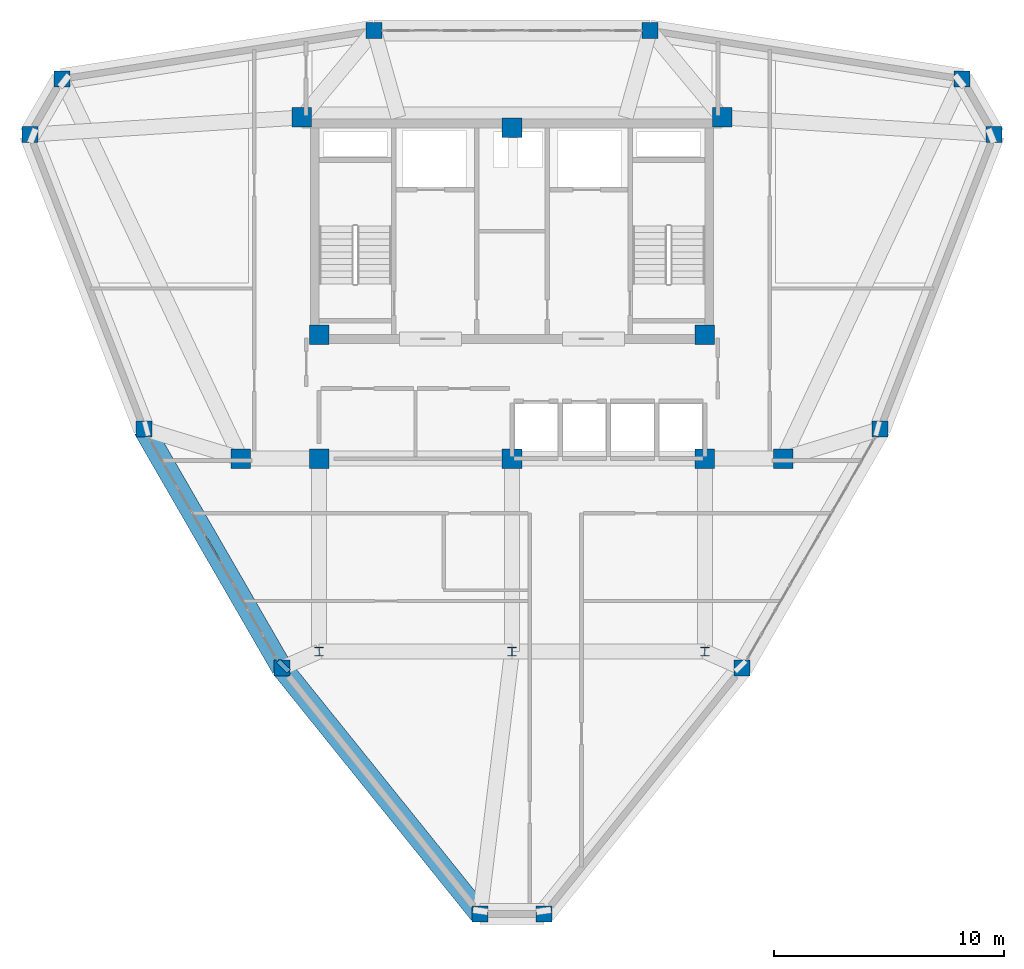
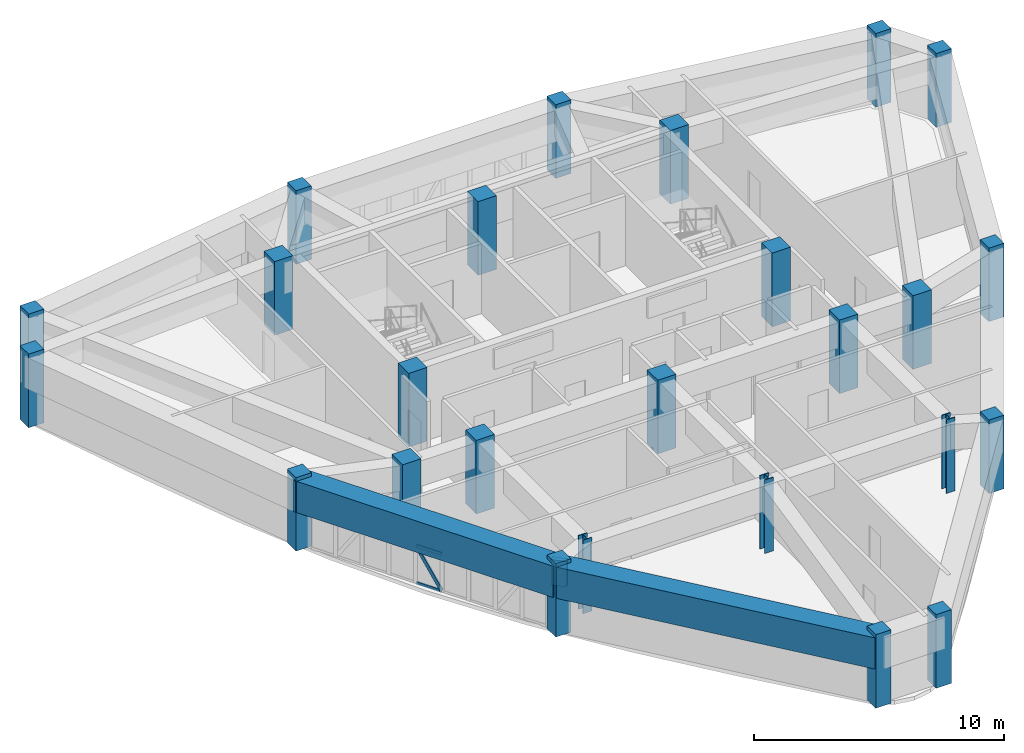
# One storey, part 1 of 15: 25 columns, 3 beams, 3 members, 1 element without a shape of its own.
"""IFC4 building model written with IfcOpenShell, lengths in metres."""

from ifc_helpers import new_model, si_unit, derived_unit, direction, frame, origin, origin_2d, place, context, subcontext, project, spatial, rectangle, hollow_rectangle, i_section, extrude, source, transform, mapped, material, layer, layer_set, material_profile, profile_set, type_object, element, aggregate, save


model = new_model("IFC4")

# Units and contexts
model_context = context("Model", 3, precision=1e-05, world=origin(), true_north=direction((0.0, 1.0)))
body_context = subcontext(model_context, "Body", "Model", "MODEL_VIEW")
ifc_project = project(units=[si_unit("LENGTHUNIT", "METRE"), si_unit("AREAUNIT", "SQUARE_METRE"), si_unit("VOLUMEUNIT", "CUBIC_METRE"), si_unit("PLANEANGLEUNIT", "RADIAN"), si_unit("MASSUNIT", "GRAM", prefix="KILO"), derived_unit("THERMALTRANSMITTANCEUNIT", [(si_unit("POWERUNIT", "WATT"), 1), (si_unit("LENGTHUNIT", "METRE"), -2), (si_unit("THERMODYNAMICTEMPERATUREUNIT", "KELVIN"), -1)])], contexts=[model_context])

# Site, building, storey
site_placement = place(None, origin())
site = spatial("IfcSite", under=ifc_project, at=site_placement, CompositionType="ELEMENT")
building_placement = place(site_placement, origin())
building = spatial("IfcBuilding", under=site, at=building_placement, Name="Korsvarv Bourse and Concert Hall", CompositionType="ELEMENT")
storey_placement = place(building_placement, frame((0.0, 0.0, 250.199951171875)))
storey = spatial("IfcBuildingStorey", under=building, at=storey_placement, Name="L65", CompositionType="ELEMENT", Elevation=250.199951171875)

# Columns
ifc_material_1 = material(Name="Concrete C50/60", Category="concrete")
ifc_material_profile_1 = material_profile(ifc_material_1, rectangle(XDim=0.85009765625, YDim=0.85009765625, at=origin_2d()), Name="RC 850x850")
ifc_profile_set_1 = profile_set([ifc_material_profile_1], Name="Concrete C50/60")
column_type_1 = type_object("IfcColumnType", Name="COL-RC850", PredefinedType="COLUMN", material=ifc_profile_set_1)
shared_shape_1 = source(origin(), body_context, "Body", "SweptSolid", [
    extrude(rectangle(XDim=0.85009765625, YDim=0.85009765625, at=origin_2d()), origin(), (0.0, 0.0, 1.0), 3.60009765625),
])
for number, where, z_axis, x_axis, name in (
    (1, (26.85009765625, 47.25, 0.0), (0.0, 0.0, 1.0), (1.0, 0.0, 0.0), "L65 column C-04"),
    (2, (45.14990234375, 47.25, 0.0), (0.0, 0.0, 1.0), (1.0, 0.0, 0.0), "L65 column C-04"),
    (3, (27.60009765625, 37.800048828125, 0.0), (0.0, 0.0, 1.0), (1.0, 0.0, 0.0), "L65 column C-04"),
    (4, (44.39990234375, 37.800048828125, 0.0), (0.0, 0.0, 1.0), (1.0, 0.0, 0.0), "L65 column C-04"),
    (5, (27.60009765625, 32.39990234375, 0.0), (0.0, 0.0, 1.0), (1.0, 0.0, 0.0), "L65 column C-04"),
    (6, (44.39990234375, 32.39990234375, 0.0), (0.0, 0.0, 1.0), (1.0, 0.0, 0.0), "L65 column C-04"),
    (7, (36.0, 46.800048828125, 0.0), (0.0, 0.0, 1.0), (1.0, 0.0, 0.0), "L65 column C-04"),
    (8, (36.0, 32.39990234375, 0.0), (0.0, 0.0, 1.0), (1.0, 0.0, 0.0), "L65 column C-04"),
    (9, (24.199951171875, 32.39990234375, 0.0), (0.0, 0.0, 1.0), (1.0, 0.0, 0.0), "L65 column C-04"),
    (10, (47.800048828125, 32.39990234375, 0.0), (0.0, 0.0, 1.0), (1.0, 0.0, 0.0), "L65 column C-04"),
):
    element("IfcColumn", number, at=place(storey_placement, frame(where, z_axis=z_axis, x_axis=x_axis)), inside=storey, type_object=column_type_1, Name=name, PredefinedType="COLUMN", context=body_context, shape_type="MappedRepresentation", body=[
        mapped(shared_shape_1, transform((0.0, 0.0, 0.0), scale=1.0)),
    ])
ifc_material_2 = material(Name="Steel S355", Category="steel")
ifc_material_profile_2 = material_profile(ifc_material_2, i_section(OverallWidth=0.40087890625, OverallDepth=0.39892578125, WebThickness=0.0224609375, FlangeThickness=0.035888671875, FilletRadius=0.014892578125, at=origin_2d()), Name="HD 400x314")
ifc_profile_set_2 = profile_set([ifc_material_profile_2], Name="Steel S355")
column_type_2 = type_object("IfcColumnType", Name="COL-HD314", PredefinedType="COLUMN", material=ifc_profile_set_2)
shared_shape_2 = source(origin(), body_context, "Body", "SweptSolid", [
    extrude(i_section(OverallWidth=0.40087890625, OverallDepth=0.39892578125, WebThickness=0.0224609375, FlangeThickness=0.035888671875, FilletRadius=0.014892578125, at=origin_2d()), origin(), (0.0, 0.0, 1.0), 3.60009765625),
])
for number, where, z_axis, x_axis, name in (
    (11, (27.60009765625, 24.0, 0.0), (0.0, 0.0, 1.0), (1.0, 0.0, 0.0), "L65 column C-11"),
    (12, (44.39990234375, 24.0, 0.0), (0.0, 0.0, 1.0), (1.0, 0.0, 0.0), "L65 column C-11"),
    (13, (36.0, 24.0, 0.0), (0.0, 0.0, 1.0), (1.0, 0.0, 0.0), "L65 column C-11"),
):
    element("IfcColumn", number, at=place(storey_placement, frame(where, z_axis=z_axis, x_axis=x_axis)), inside=storey, type_object=column_type_2, Name=name, PredefinedType="COLUMN", context=body_context, shape_type="MappedRepresentation", body=[
        mapped(shared_shape_2, transform((0.0, 0.0, 0.0), scale=1.0)),
    ])
ifc_material_profile_3 = material_profile(ifc_material_1, rectangle(XDim=0.699951171875, YDim=0.699951171875, at=origin_2d()), Name="RC 700x700")
ifc_profile_set_3 = profile_set([ifc_material_profile_3], Name="Concrete C50/60")
column_type_3 = type_object("IfcColumnType", Name="COL-RC700", PredefinedType="COLUMN", material=ifc_profile_set_3)
shared_shape_3 = source(origin(), body_context, "Body", "SweptSolid", [
    extrude(rectangle(XDim=0.699951171875, YDim=0.699951171875, at=origin_2d()), origin(), (0.0, 0.0, 1.0), 3.60009765625),
])
for number, where, z_axis, x_axis, name in (
    (14, (56.98779296875, 46.503662109375, 0.0), (0.0, 0.0, 1.0), (1.0, 0.0, 0.0), "L65 column C-05"),
    (15, (55.59033203125, 48.924072265625, 0.0), (0.0, 0.0, 1.0), (1.0, 0.0, 0.0), "L65 column C-05"),
    (16, (42.00439453125, 51.03271484375, 0.0), (0.0, 0.0, 1.0), (1.0, 0.0, 0.0), "L65 column C-05"),
    (17, (29.99560546875, 51.03271484375, 0.0), (0.0, 0.0, 1.0), (1.0, 0.0, 0.0), "L65 column C-05"),
    (18, (16.40966796875, 48.924072265625, 0.0), (0.0, 0.0, 1.0), (1.0, 0.0, 0.0), "L65 column C-05"),
    (19, (15.01220703125, 46.503662109375, 0.0), (0.0, 0.0, 1.0), (1.0, 0.0, 0.0), "L65 column C-05"),
    (20, (19.97900390625, 33.68359375, 0.0), (0.0, 0.0, 1.0), (1.0, 0.0, 0.0), "L65 column C-05"),
    (21, (25.9833984375, 23.28369140625, 0.0), (0.0, 0.0, 1.0), (1.0, 0.0, 0.0), "L65 column C-05"),
    (22, (34.6025390625, 12.572265625, 0.0), (0.0, 0.0, 1.0), (1.0, 0.0, 0.0), "L65 column C-05"),
    (23, (37.3974609375, 12.572265625, 0.0), (0.0, 0.0, 1.0), (1.0, 0.0, 0.0), "L65 column C-05"),
    (24, (46.0166015625, 23.28369140625, 0.0), (0.0, 0.0, 1.0), (1.0, 0.0, 0.0), "L65 column C-05"),
    (25, (52.02099609375, 33.68359375, 0.0), (0.0, 0.0, 1.0), (1.0, 0.0, 0.0), "L65 column C-05"),
):
    element("IfcColumn", number, at=place(storey_placement, frame(where, z_axis=z_axis, x_axis=x_axis)), inside=storey, type_object=column_type_3, Name=name, PredefinedType="COLUMN", context=body_context, shape_type="MappedRepresentation", body=[
        mapped(shared_shape_3, transform((0.0, 0.0, 0.0), scale=1.0)),
    ])

# Beams
ifc_material_profile_4 = material_profile(ifc_material_1, rectangle(XDim=0.919921875, YDim=1.530029296875, at=origin_2d()), Name="RC-BM 920x1530")
ifc_profile_set_4 = profile_set([ifc_material_profile_4], Name="Concrete C50/60")
beam_type_1 = type_object("IfcBeamType", Name="BM-TR-154", PredefinedType="BEAM", material=ifc_profile_set_4)
shared_shape_4 = source(origin(), body_context, "Body", "SweptSolid", [
    extrude(rectangle(XDim=0.919921875, YDim=1.530029296875, at=origin_2d()), origin(), (0.0, 0.0, 1.0), 13.74853515625),
])
beam_1_placement = place(storey_placement, frame((25.9833984375, 23.28369140625, 2.64501953125), z_axis=(0.626910047977, -0.77909164528, 0.0), x_axis=(0.77909164528, 0.626910047977, 0.0)))
element("IfcBeam", 26, at=beam_1_placement, inside=storey, type_object=beam_type_1, Name="L65 beam B-TR6", PredefinedType="BEAM", context=body_context, shape_type="MappedRepresentation", body=[
    mapped(shared_shape_4, transform((0.0, 0.0, 0.0), scale=1.0)),
])
shared_shape_5 = source(origin(), body_context, "Body", "SweptSolid", [
    extrude(rectangle(XDim=0.919921875, YDim=1.530029296875, at=origin_2d()), origin(), (0.0, 0.0, 1.0), 12.0087890625),
])
beam_2_placement = place(storey_placement, frame((19.97900390625, 33.68359375, 2.64501953125), z_axis=(0.500000506726, -0.866025111226, 0.0), x_axis=(0.866025111226, 0.500000506726, 0.0)))
element("IfcBeam", 27, at=beam_2_placement, inside=storey, type_object=beam_type_1, Name="L65 beam B-TR6", PredefinedType="BEAM", context=body_context, shape_type="MappedRepresentation", body=[
    mapped(shared_shape_5, transform((0.0, 0.0, 0.0), scale=1.0)),
])
ifc_material_profile_5 = material_profile(ifc_material_1, rectangle(XDim=0.64990234375, YDim=1.239990234375, at=origin_2d()), Name="RC-BM 650x1240")
ifc_profile_set_5 = profile_set([ifc_material_profile_5], Name="Concrete C50/60")
beam_type_2 = type_object("IfcBeamType", Name="BM-TR-SPN", PredefinedType="BEAM", material=ifc_profile_set_5)
shared_shape_6 = source(origin(), body_context, "Body", "SweptSolid", [
    extrude(rectangle(XDim=0.64990234375, YDim=1.239990234375, at=origin_2d()), origin(), (0.0, 0.0, 1.0), 0.218017578125),
])
beam_3_placement = place(storey_placement, frame((25.9833984375, 23.28369140625, 2.7900390625), z_axis=(0.699791495436, 0.714347158541, 0.0), x_axis=(-0.714347158541, 0.699791495436, 0.0)))
element("IfcBeam", 28, at=beam_3_placement, inside=storey, type_object=beam_type_2, Name="L65 beam B-TRS", PredefinedType="BEAM", context=body_context, shape_type="MappedRepresentation", body=[
    mapped(shared_shape_6, transform((0.0, 0.0, 0.0), scale=1.0)),
])

# Curtain wall, members
ifc_material_3 = material(Name="Anodised aluminium and triple low-E glazing", Category="glass")
ifc_layer = layer(ifc_material_3, 0.199951171875)
ifc_layer_set = layer_set([ifc_layer], Name="Anodised aluminium and triple low-E glazing")
curtain_wall_type = type_object("IfcCurtainWallType", Name="CW-SYS-3", PredefinedType="NOTDEFINED", material=ifc_layer_set)
curtain_wall_placement = place(storey_placement, origin())
curtain_wall = element("IfcCurtainWall", 29, at=curtain_wall_placement, inside=storey, type_object=curtain_wall_type, Name="L65 CW3 curtain wall CW-L65-F07", PredefinedType="NOTDEFINED")
ifc_material_4 = material(Name="Extruded aluminium EN AW-6063 T66", Category="aluminium")
ifc_material_profile_6 = material_profile(ifc_material_4, hollow_rectangle(XDim=0.06494140625, YDim=0.139892578125, WallThickness=0.00390625, at=origin_2d()), Name="ALU-T 65x140")
ifc_profile_set_6 = profile_set([ifc_material_profile_6], Name="Extruded aluminium EN AW-6063 T66")
member_type_1 = type_object("IfcMemberType", Name="CWT-140", PredefinedType="USERDEFINED", material=ifc_profile_set_6)
shared_shape_7 = source(origin(), body_context, "Body", "SweptSolid", [
    extrude(hollow_rectangle(XDim=0.06494140625, YDim=0.139892578125, WallThickness=0.00390625, at=origin_2d()), origin(), (0.0, 0.0, 1.0), 1.16162109375),
])
member_1_placement = place(storey_placement, frame((22.69091796875, 28.986572265625, 0.032470703125), z_axis=(0.500049955442, -0.865996560076, 0.0), x_axis=(0.865996560076, 0.500049955442, 0.0)))
member_1 = element("IfcMember", 30, at=member_1_placement, type_object=member_type_1, Name="CW3 transom 5.1", ObjectType="TRANSOM", PredefinedType="USERDEFINED", context=body_context, shape_type="MappedRepresentation", body=[
    mapped(shared_shape_7, transform((0.0, 0.0, 0.0), scale=1.0)),
])
member_2_placement = place(storey_placement, frame((22.69091796875, 28.986572265625, 1.84765625), z_axis=(0.500049955442, -0.865996560076, 0.0), x_axis=(0.865996560076, 0.500049955442, 0.0)))
member_2 = element("IfcMember", 31, at=member_2_placement, type_object=member_type_1, Name="CW3 transom 5.2", ObjectType="TRANSOM", PredefinedType="USERDEFINED", context=body_context, shape_type="MappedRepresentation", body=[
    mapped(shared_shape_7, transform((0.0, 0.0, 0.0), scale=1.0)),
])
ifc_material_profile_7 = material_profile(ifc_material_4, hollow_rectangle(XDim=0.06494140625, YDim=0.1650390625, WallThickness=0.0048828125, at=origin_2d()), Name="ALU-M 65x165")
ifc_profile_set_7 = profile_set([ifc_material_profile_7], Name="Extruded aluminium EN AW-6063 T66")
member_type_2 = type_object("IfcMemberType", Name="CWM-165", PredefinedType="MULLION", material=ifc_profile_set_7)
shared_shape_8 = source(origin(), body_context, "Body", "SweptSolid", [
    extrude(hollow_rectangle(XDim=0.06494140625, YDim=0.1650390625, WallThickness=0.0048828125, at=origin_2d()), origin(), (0.0, 0.0, 1.0), 2.100341796875),
])
member_3_placement = place(storey_placement, frame((23.271728515625, 27.980712890625, 0.06494140625), z_axis=(-0.276526480814, 0.478894115575, 0.833182771951), x_axis=(-0.865996560076, -0.500049955442, 0.0)))
member_3 = element("IfcMember", 32, at=member_3_placement, type_object=member_type_2, Name="CW3 diagonal mullion 5", PredefinedType="MULLION", context=body_context, shape_type="MappedRepresentation", body=[
    mapped(shared_shape_8, transform((0.0, 0.0, 0.0), scale=1.0)),
])
aggregate(curtain_wall, [member_1, member_2, member_3])

save(model, "model.ifc")
